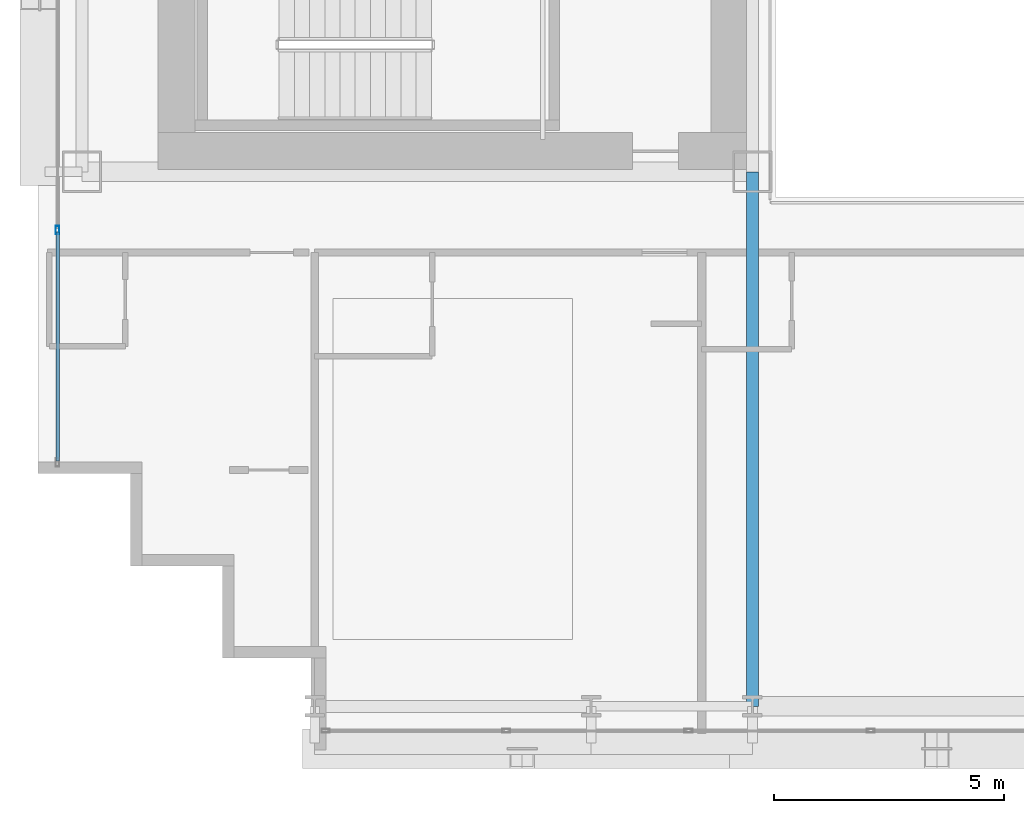
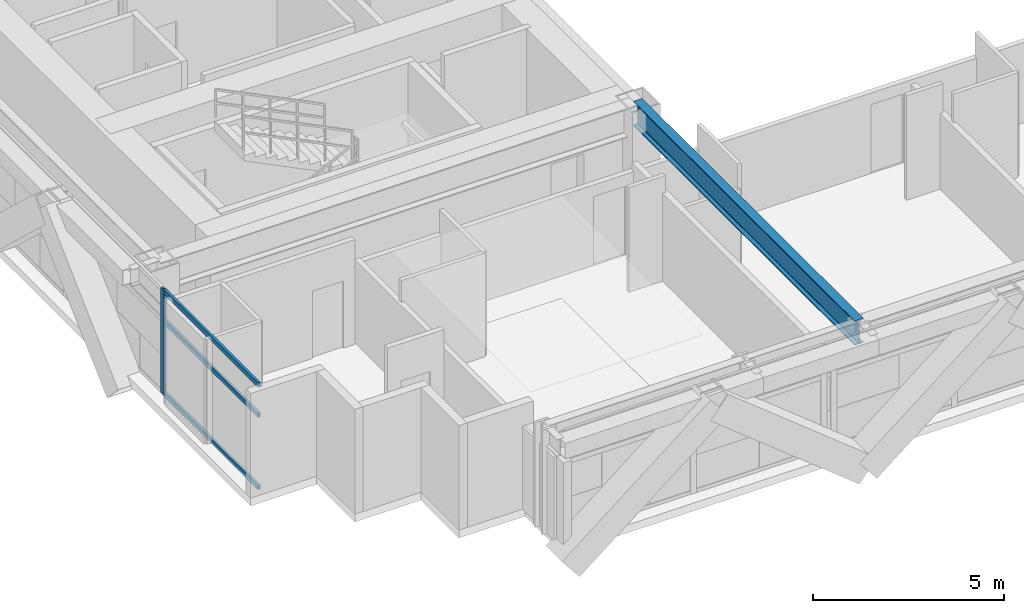
# One storey, part 3 of 35: 4 members, 1 beam, 1 element without a shape of its own.
"""IFC4 building model written with IfcOpenShell, lengths in metres."""

from ifc_helpers import new_model, si_unit, direction, frame, origin, origin_2d, place, context, subcontext, project, spatial, hollow_rectangle, i_section, extrude, source, transform, mapped, material, layer, layer_set, material_profile, profile_set, type_object, element, aggregate, save


model = new_model("IFC4")

# Units and contexts
model_context = context("Model", 3, precision=1e-05, world=origin(), true_north=direction((0.0, 1.0)))
body_context = subcontext(model_context, "Body", "Model", "MODEL_VIEW")
ifc_project = project(units=[si_unit("LENGTHUNIT", "METRE"), si_unit("AREAUNIT", "SQUARE_METRE"), si_unit("VOLUMEUNIT", "CUBIC_METRE"), si_unit("PLANEANGLEUNIT", "RADIAN"), si_unit("MASSUNIT", "GRAM", prefix="KILO")], contexts=[model_context])

# Site, building, storey
site_placement = place(None, origin())
site = spatial("IfcSite", under=ifc_project, at=site_placement, CompositionType="ELEMENT")
building_placement = place(site_placement, origin())
building = spatial("IfcBuilding", under=site, at=building_placement, Name="Ocotamira Hotel", CompositionType="ELEMENT")
storey_placement = place(building_placement, frame((0.0, 0.0, 56.39990234375)))
storey = spatial("IfcBuildingStorey", under=building, at=storey_placement, Name="L13", CompositionType="ELEMENT", Elevation=56.39990234375)

# Beam
ifc_material_1 = material(Name="Steel ASTM A992 Grade 50", Category="steel")
ifc_material_profile_1 = material_profile(ifc_material_1, i_section(OverallWidth=0.26611328125, OverallDepth=0.779052734375, WebThickness=0.0166015625, FlangeThickness=0.030029296875, FilletRadius=0.01806640625, at=origin_2d()), Name="W30X148")
ifc_profile_set_1 = profile_set([ifc_material_profile_1], Name="Steel ASTM A992 Grade 50")
beam_type = type_object("IfcBeamType", Name="BM-GIRD-W30X148", PredefinedType="BEAM", material=ifc_profile_set_1)
shared_shape_1 = source(origin(), body_context, "Body", "SweptSolid", [
    extrude(i_section(OverallWidth=0.26611328125, OverallDepth=0.779052734375, WebThickness=0.0166015625, FlangeThickness=0.030029296875, FilletRadius=0.01806640625, at=origin_2d()), origin(), (0.0, 0.0, 1.0), 11.60009765625),
])
beam_placement = place(storey_placement, frame((23.5, 2.949951171875, 2.960693359375), z_axis=(0.0, 1.0, 0.0), x_axis=(-1.0, 0.0, 0.0)))
element("IfcBeam", 1, at=beam_placement, inside=storey, type_object=beam_type, Name="L13 Beam X23.5 Y2.95-14.55", PredefinedType="BEAM", context=body_context, shape_type="MappedRepresentation", body=[
    mapped(shared_shape_1, transform((0.0, 0.0, 0.0), scale=1.0)),
])

# Curtain wall, members
ifc_material_2 = material(Name="Anodised pale-metal aluminium and solar glass", Category="aluminium")
ifc_layer = layer(ifc_material_2, 0.179931640625)
ifc_layer_set = layer_set([ifc_layer], Name="Anodised pale-metal aluminium and solar glass")
curtain_wall_type = type_object("IfcCurtainWallType", Name="CW-SYS2-Z1", PredefinedType="NOTDEFINED", material=ifc_layer_set)
curtain_wall_placement = place(storey_placement, origin())
curtain_wall = element("IfcCurtainWall", 2, at=curtain_wall_placement, inside=storey, type_object=curtain_wall_type, Name="L13 Curtain Wall CW-2 CW-L13-W", PredefinedType="NOTDEFINED")
ifc_material_3 = material(Name="Anodised pale-metal aluminium 6063-T6", Category="aluminium")
ifc_material_profile_2 = material_profile(ifc_material_3, hollow_rectangle(XDim=0.074951171875, YDim=0.14990234375, WallThickness=0.006103515625, at=origin_2d()), Name="HSS150X75X6")
ifc_profile_set_2 = profile_set([ifc_material_profile_2], Name="Anodised pale-metal aluminium 6063-T6")
member_type_1 = type_object("IfcMemberType", Name="CWT-150X75", PredefinedType="USERDEFINED", material=ifc_profile_set_2)
shared_shape_2 = source(origin(), body_context, "Body", "SweptSolid", [
    extrude(hollow_rectangle(XDim=0.074951171875, YDim=0.14990234375, WallThickness=0.006103515625, at=origin_2d()), origin(), (0.0, 0.0, 1.0), 4.965576171875),
])
member_1_placement = place(storey_placement, frame((8.419921875, 8.280029296875, 0.03759765625), z_axis=(0.0, 1.0, 0.0), x_axis=(-1.0, 0.0, 0.0)))
member_1 = element("IfcMember", 3, at=member_1_placement, type_object=member_type_1, Name="CW-2 transom 1.1", ObjectType="TRANSOM", PredefinedType="USERDEFINED", context=body_context, shape_type="MappedRepresentation", body=[
    mapped(shared_shape_2, transform((0.0, 0.0, 0.0), scale=1.0)),
])
member_2_placement = place(storey_placement, frame((8.419921875, 8.280029296875, 2.35009765625), z_axis=(0.0, 1.0, 0.0), x_axis=(-1.0, 0.0, 0.0)))
member_2 = element("IfcMember", 4, at=member_2_placement, type_object=member_type_1, Name="CW-2 transom 1.2", ObjectType="TRANSOM", PredefinedType="USERDEFINED", context=body_context, shape_type="MappedRepresentation", body=[
    mapped(shared_shape_2, transform((0.0, 0.0, 0.0), scale=1.0)),
])
member_3_placement = place(storey_placement, frame((8.419921875, 8.280029296875, 3.3125), z_axis=(0.0, 1.0, 0.0), x_axis=(-1.0, 0.0, 0.0)))
member_3 = element("IfcMember", 5, at=member_3_placement, type_object=member_type_1, Name="CW-2 transom 1.3", ObjectType="TRANSOM", PredefinedType="USERDEFINED", context=body_context, shape_type="MappedRepresentation", body=[
    mapped(shared_shape_2, transform((0.0, 0.0, 0.0), scale=1.0)),
])
ifc_material_profile_3 = material_profile(ifc_material_3, hollow_rectangle(XDim=0.080078125, YDim=0.179931640625, WallThickness=0.006103515625, at=origin_2d()), Name="HSS180X80X6")
ifc_profile_set_3 = profile_set([ifc_material_profile_3], Name="Anodised pale-metal aluminium 6063-T6")
member_type_2 = type_object("IfcMemberType", Name="CWM-180X75", PredefinedType="MULLION", material=ifc_profile_set_3)
shared_shape_3 = source(origin(), body_context, "Body", "SweptSolid", [
    extrude(hollow_rectangle(XDim=0.080078125, YDim=0.179931640625, WallThickness=0.006103515625, at=origin_2d()), origin(), (0.0, 0.0, 1.0), 3.35009765625),
])
member_4_placement = place(storey_placement, frame((8.419921875, 13.28564453125, 0.0), z_axis=(0.0, 0.0, 1.0), x_axis=(-1.0, 0.0, 0.0)))
member_4 = element("IfcMember", 6, at=member_4_placement, type_object=member_type_2, Name="CW-2 mullion 2", PredefinedType="MULLION", context=body_context, shape_type="MappedRepresentation", body=[
    mapped(shared_shape_3, transform((0.0, 0.0, 0.0), scale=1.0)),
])
aggregate(curtain_wall, [member_4, member_1, member_2, member_3])

save(model, "model.ifc")
